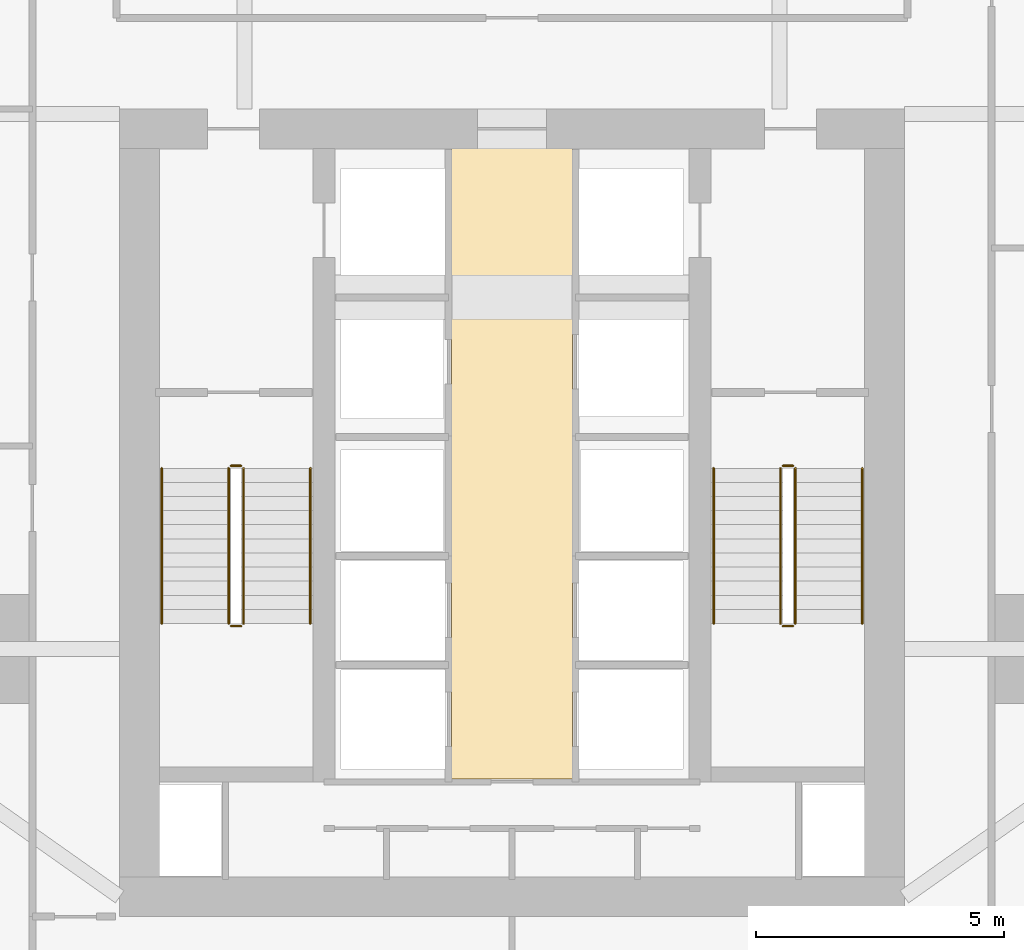
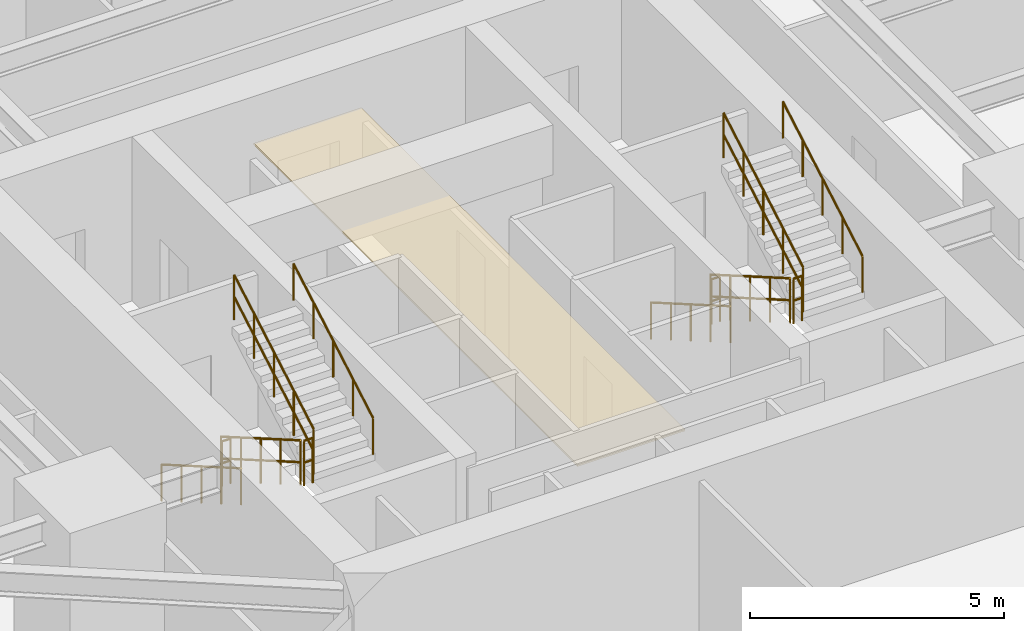
# One storey, part 27 of 28: 12 railings, 1 covering.
"""IFC4 building model written with IfcOpenShell, lengths in metres."""

from ifc_helpers import new_model, si_unit, direction, frame, origin, origin_2d, place, context, subcontext, project, spatial, polyline, circle, outline, extrude, material, layer, layer_set, type_object, element, save


model = new_model("IFC4")

# Units and contexts
model_context = context("Model", 3, precision=1e-05, world=origin(), true_north=direction((0.0, 1.0)))
body_context = subcontext(model_context, "Body", "Model", "MODEL_VIEW")
ifc_project = project(units=[si_unit("LENGTHUNIT", "METRE"), si_unit("AREAUNIT", "SQUARE_METRE"), si_unit("VOLUMEUNIT", "CUBIC_METRE"), si_unit("PLANEANGLEUNIT", "RADIAN"), si_unit("MASSUNIT", "GRAM", prefix="KILO")], contexts=[model_context])

# Site, building, storey
site_placement = place(None, origin())
site = spatial("IfcSite", under=ifc_project, at=site_placement, CompositionType="ELEMENT")
building_placement = place(site_placement, origin())
building = spatial("IfcBuilding", under=site, at=building_placement, Name="Krantzveldt Concourse Tower", CompositionType="ELEMENT")
storey_placement = place(building_placement, frame((0.0, 0.0, 28.949951171875)))
storey = spatial("IfcBuildingStorey", under=building, at=storey_placement, Name="L06", CompositionType="ELEMENT", Elevation=28.949951171875)

# Covering
ifc_material_1 = material(Name="Perforated acoustic mineral-fibre ceiling tile", Category="ceiling")
ifc_layer_1 = layer(ifc_material_1, 0.0400390625, Name="Perforated acoustic mineral-fibre ceiling tile", Category="ceiling")
ifc_layer_set_1 = layer_set([ifc_layer_1], Name="Perforated acoustic mineral-fibre ceiling tile (COV-CEIL-ACOUSTIC)")
covering_type = type_object("IfcCoveringType", Name="COV-CEIL-ACOUSTIC", PredefinedType="CEILING", material=ifc_layer_set_1)
covering_placement = place(storey_placement, frame((0.0, 0.0, 2.75)))
element("IfcCovering", 1, at=covering_placement, inside=storey, type_object=covering_type, Name="CLG-L06-LLB", PredefinedType="CEILING", context=body_context, shape_type="SweptSolid", body=[
    extrude(outline(polyline([(37.22509765625, 13.27490234375), (34.77490234375, 13.27490234375), (34.77490234375, 26.044921875), (37.22509765625, 26.044921875), (37.22509765625, 13.27490234375)])), origin(), (0.0, 0.0, 1.0), 0.0400390625),
])

# Railings
ifc_material_2 = material(Name="Stainless steel 316L", Category="steel")
ifc_layer_2 = layer(ifc_material_2, 0.06005859375, Name="Stainless steel 316L", Category="steel")
ifc_layer_set_2 = layer_set([ifc_layer_2], Name="Stainless steel 316L (RL-GUARD-1120)")
railing_type_1 = type_object("IfcRailingType", Name="RL-GUARD-1120", PredefinedType="GUARDRAIL", material=ifc_layer_set_2)
railing_1_placement = place(storey_placement, frame((30.280029296875, 19.550048828125, 0.16455078125)))
element("IfcRailing", 2, at=railing_1_placement, inside=storey, type_object=railing_type_1, Name="L06 ST-1 stair guard 1", PredefinedType="GUARDRAIL", context=body_context, shape_type="SweptSolid", body=[
    extrude(circle(Radius=0.02392578125, at=origin_2d()), frame((0.0, 0.0, 1.076171875), z_axis=(0.0, -0.865959834175, 0.500113552702), x_axis=(1.0, 0.0, 0.0)), (0.0, 0.0, 1.0), 3.620361328125),
    extrude(circle(Radius=0.02392578125, at=origin_2d()), frame((0.0, 0.0, 0.550048828125), z_axis=(0.0, -0.865959834175, 0.500113552702), x_axis=(1.0, 0.0, 0.0)), (0.0, 0.0, 1.0), 3.620361328125),
    extrude(circle(Radius=0.02099609375, at=origin_2d()), origin(), (0.0, 0.0, 1.0), 1.052001953125),
    extrude(circle(Radius=0.02099609375, at=origin_2d()), frame((0.0, -0.78369140625, 0.45263671875)), (0.0, 0.0, 1.0), 1.052001953125),
    extrude(circle(Radius=0.02099609375, at=origin_2d()), frame((0.0, -1.5673828125, 0.9052734375)), (0.0, 0.0, 1.0), 1.052001953125),
    extrude(circle(Radius=0.02099609375, at=origin_2d()), frame((0.0, -2.351318359375, 1.35791015625)), (0.0, 0.0, 1.0), 1.052001953125),
    extrude(circle(Radius=0.02099609375, at=origin_2d()), frame((0.0, -3.135009765625, 1.810546875)), (0.0, 0.0, 1.0), 1.052001953125),
])
railing_2_placement = place(storey_placement, frame((30.330078125, 16.364990234375, 1.97509765625)))
element("IfcRailing", 3, at=railing_2_placement, inside=storey, type_object=railing_type_1, Name="L06 ST-1 stair guard 2", PredefinedType="GUARDRAIL", context=body_context, shape_type="SweptSolid", body=[
    extrude(circle(Radius=0.02392578125, at=origin_2d()), frame((0.0, 0.0, 1.076171875), z_axis=(1.0, 0.0, 0.0), x_axis=(0.0, 1.0, 0.0)), (0.0, 0.0, 1.0), 0.199951171875),
    extrude(circle(Radius=0.02392578125, at=origin_2d()), frame((0.0, 0.0, 0.550048828125), z_axis=(1.0, 0.0, 0.0), x_axis=(0.0, 1.0, 0.0)), (0.0, 0.0, 1.0), 0.199951171875),
    extrude(circle(Radius=0.02099609375, at=origin_2d()), origin(), (0.0, 0.0, 1.0), 1.052001953125),
    extrude(circle(Radius=0.02099609375, at=origin_2d()), frame((0.199951171875, 0.0, 0.0)), (0.0, 0.0, 1.0), 1.052001953125),
])
railing_3_placement = place(storey_placement, frame((30.580078125, 16.4150390625, 2.1396484375)))
element("IfcRailing", 4, at=railing_3_placement, inside=storey, type_object=railing_type_1, Name="L06 ST-1 stair guard 3", PredefinedType="GUARDRAIL", context=body_context, shape_type="SweptSolid", body=[
    extrude(circle(Radius=0.02392578125, at=origin_2d()), frame((0.0, 0.0, 1.076171875), z_axis=(0.0, 0.865989039225, 0.500062979975), x_axis=(-1.0, 0.0, 0.0)), (0.0, 0.0, 1.0), 3.6201171875),
    extrude(circle(Radius=0.02392578125, at=origin_2d()), frame((0.0, 0.0, 0.550048828125), z_axis=(0.0, 0.865989039225, 0.500062979975), x_axis=(-1.0, 0.0, 0.0)), (0.0, 0.0, 1.0), 3.6201171875),
    extrude(circle(Radius=0.02099609375, at=origin_2d()), origin(), (0.0, 0.0, 1.0), 1.052001953125),
    extrude(circle(Radius=0.02099609375, at=origin_2d()), frame((0.0, 0.78369140625, 0.45263671875)), (0.0, 0.0, 1.0), 1.052001953125),
    extrude(circle(Radius=0.02099609375, at=origin_2d()), frame((0.0, 1.5673828125, 0.9052734375)), (0.0, 0.0, 1.0), 1.052001953125),
    extrude(circle(Radius=0.02099609375, at=origin_2d()), frame((0.0, 2.351318359375, 1.357666015625)), (0.0, 0.0, 1.0), 1.052001953125),
    extrude(circle(Radius=0.02099609375, at=origin_2d()), frame((0.0, 3.135009765625, 1.810302734375)), (0.0, 0.0, 1.0), 1.052001953125),
])
railing_4_placement = place(storey_placement, frame((30.330078125, 19.60009765625, 0.0)))
element("IfcRailing", 5, at=railing_4_placement, inside=storey, type_object=railing_type_1, Name="L06 ST-1 stair guard 4", PredefinedType="GUARDRAIL", context=body_context, shape_type="SweptSolid", body=[
    extrude(circle(Radius=0.02392578125, at=origin_2d()), frame((0.0, 0.0, 1.076171875), z_axis=(1.0, 0.0, 0.0), x_axis=(0.0, 1.0, 0.0)), (0.0, 0.0, 1.0), 0.199951171875),
    extrude(circle(Radius=0.02392578125, at=origin_2d()), frame((0.0, 0.0, 0.550048828125), z_axis=(1.0, 0.0, 0.0), x_axis=(0.0, 1.0, 0.0)), (0.0, 0.0, 1.0), 0.199951171875),
    extrude(circle(Radius=0.02099609375, at=origin_2d()), origin(), (0.0, 0.0, 1.0), 1.052001953125),
    extrude(circle(Radius=0.02099609375, at=origin_2d()), frame((0.199951171875, 0.0, 0.0)), (0.0, 0.0, 1.0), 1.052001953125),
])
railing_5_placement = place(storey_placement, frame((41.419921875, 19.550048828125, 0.16455078125)))
element("IfcRailing", 6, at=railing_5_placement, inside=storey, type_object=railing_type_1, Name="L06 ST-2 stair guard 1", PredefinedType="GUARDRAIL", context=body_context, shape_type="SweptSolid", body=[
    extrude(circle(Radius=0.02392578125, at=origin_2d()), frame((0.0, 0.0, 1.076171875), z_axis=(0.0, -0.865959834175, 0.500113552702), x_axis=(1.0, 0.0, 0.0)), (0.0, 0.0, 1.0), 3.620361328125),
    extrude(circle(Radius=0.02392578125, at=origin_2d()), frame((0.0, 0.0, 0.550048828125), z_axis=(0.0, -0.865959834175, 0.500113552702), x_axis=(1.0, 0.0, 0.0)), (0.0, 0.0, 1.0), 3.620361328125),
    extrude(circle(Radius=0.02099609375, at=origin_2d()), origin(), (0.0, 0.0, 1.0), 1.052001953125),
    extrude(circle(Radius=0.02099609375, at=origin_2d()), frame((0.0, -0.78369140625, 0.45263671875)), (0.0, 0.0, 1.0), 1.052001953125),
    extrude(circle(Radius=0.02099609375, at=origin_2d()), frame((0.0, -1.5673828125, 0.9052734375)), (0.0, 0.0, 1.0), 1.052001953125),
    extrude(circle(Radius=0.02099609375, at=origin_2d()), frame((0.0, -2.351318359375, 1.35791015625)), (0.0, 0.0, 1.0), 1.052001953125),
    extrude(circle(Radius=0.02099609375, at=origin_2d()), frame((0.0, -3.135009765625, 1.810546875)), (0.0, 0.0, 1.0), 1.052001953125),
])
railing_6_placement = place(storey_placement, frame((41.469970703125, 16.364990234375, 1.97509765625)))
element("IfcRailing", 7, at=railing_6_placement, inside=storey, type_object=railing_type_1, Name="L06 ST-2 stair guard 2", PredefinedType="GUARDRAIL", context=body_context, shape_type="SweptSolid", body=[
    extrude(circle(Radius=0.02392578125, at=origin_2d()), frame((0.0, 0.0, 1.076171875), z_axis=(1.0, 0.0, 0.0), x_axis=(0.0, 1.0, 0.0)), (0.0, 0.0, 1.0), 0.199951171875),
    extrude(circle(Radius=0.02392578125, at=origin_2d()), frame((0.0, 0.0, 0.550048828125), z_axis=(1.0, 0.0, 0.0), x_axis=(0.0, 1.0, 0.0)), (0.0, 0.0, 1.0), 0.199951171875),
    extrude(circle(Radius=0.02099609375, at=origin_2d()), origin(), (0.0, 0.0, 1.0), 1.052001953125),
    extrude(circle(Radius=0.02099609375, at=origin_2d()), frame((0.199951171875, 0.0, 0.0)), (0.0, 0.0, 1.0), 1.052001953125),
])
railing_7_placement = place(storey_placement, frame((41.719970703125, 16.4150390625, 2.1396484375)))
element("IfcRailing", 8, at=railing_7_placement, inside=storey, type_object=railing_type_1, Name="L06 ST-2 stair guard 3", PredefinedType="GUARDRAIL", context=body_context, shape_type="SweptSolid", body=[
    extrude(circle(Radius=0.02392578125, at=origin_2d()), frame((0.0, 0.0, 1.076171875), z_axis=(0.0, 0.865989039225, 0.500062979975), x_axis=(-1.0, 0.0, 0.0)), (0.0, 0.0, 1.0), 3.6201171875),
    extrude(circle(Radius=0.02392578125, at=origin_2d()), frame((0.0, 0.0, 0.550048828125), z_axis=(0.0, 0.865989039225, 0.500062979975), x_axis=(-1.0, 0.0, 0.0)), (0.0, 0.0, 1.0), 3.6201171875),
    extrude(circle(Radius=0.02099609375, at=origin_2d()), origin(), (0.0, 0.0, 1.0), 1.052001953125),
    extrude(circle(Radius=0.02099609375, at=origin_2d()), frame((0.0, 0.78369140625, 0.45263671875)), (0.0, 0.0, 1.0), 1.052001953125),
    extrude(circle(Radius=0.02099609375, at=origin_2d()), frame((0.0, 1.5673828125, 0.9052734375)), (0.0, 0.0, 1.0), 1.052001953125),
    extrude(circle(Radius=0.02099609375, at=origin_2d()), frame((0.0, 2.351318359375, 1.357666015625)), (0.0, 0.0, 1.0), 1.052001953125),
    extrude(circle(Radius=0.02099609375, at=origin_2d()), frame((0.0, 3.135009765625, 1.810302734375)), (0.0, 0.0, 1.0), 1.052001953125),
])
railing_8_placement = place(storey_placement, frame((41.469970703125, 19.60009765625, 0.0)))
element("IfcRailing", 9, at=railing_8_placement, inside=storey, type_object=railing_type_1, Name="L06 ST-2 stair guard 4", PredefinedType="GUARDRAIL", context=body_context, shape_type="SweptSolid", body=[
    extrude(circle(Radius=0.02392578125, at=origin_2d()), frame((0.0, 0.0, 1.076171875), z_axis=(1.0, 0.0, 0.0), x_axis=(0.0, 1.0, 0.0)), (0.0, 0.0, 1.0), 0.199951171875),
    extrude(circle(Radius=0.02392578125, at=origin_2d()), frame((0.0, 0.0, 0.550048828125), z_axis=(1.0, 0.0, 0.0), x_axis=(0.0, 1.0, 0.0)), (0.0, 0.0, 1.0), 0.199951171875),
    extrude(circle(Radius=0.02099609375, at=origin_2d()), origin(), (0.0, 0.0, 1.0), 1.052001953125),
    extrude(circle(Radius=0.02099609375, at=origin_2d()), frame((0.199951171875, 0.0, 0.0)), (0.0, 0.0, 1.0), 1.052001953125),
])
ifc_layer_3 = layer(ifc_material_2, 0.050048828125, Name="Stainless steel 316L", Category="steel")
ifc_layer_set_3 = layer_set([ifc_layer_3], Name="Stainless steel 316L (RL-HANDRAIL-920)")
railing_type_2 = type_object("IfcRailingType", Name="RL-HANDRAIL-920", PredefinedType="HANDRAIL", material=ifc_layer_set_3)
railing_9_placement = place(storey_placement, frame((28.929931640625, 19.550048828125, 0.16455078125)))
element("IfcRailing", 10, at=railing_9_placement, inside=storey, type_object=railing_type_2, Name="L06 ST-1 stair handrail 1", PredefinedType="HANDRAIL", context=body_context, shape_type="SweptSolid", body=[
    extrude(circle(Radius=0.02392578125, at=origin_2d()), frame((0.0, 0.0, 0.8759765625), z_axis=(0.0, -0.865959834175, 0.500113552702), x_axis=(1.0, 0.0, 0.0)), (0.0, 0.0, 1.0), 3.620361328125),
    extrude(circle(Radius=0.02099609375, at=origin_2d()), origin(), (0.0, 0.0, 1.0), 0.851806640625),
    extrude(circle(Radius=0.02099609375, at=origin_2d()), frame((0.0, -0.78369140625, 0.45263671875)), (0.0, 0.0, 1.0), 0.851806640625),
    extrude(circle(Radius=0.02099609375, at=origin_2d()), frame((0.0, -1.5673828125, 0.9052734375)), (0.0, 0.0, 1.0), 0.851806640625),
    extrude(circle(Radius=0.02099609375, at=origin_2d()), frame((0.0, -2.351318359375, 1.35791015625)), (0.0, 0.0, 1.0), 0.851806640625),
    extrude(circle(Radius=0.02099609375, at=origin_2d()), frame((0.0, -3.135009765625, 1.810546875)), (0.0, 0.0, 1.0), 0.851806640625),
])
railing_10_placement = place(storey_placement, frame((31.929931640625, 16.4150390625, 2.1396484375)))
element("IfcRailing", 11, at=railing_10_placement, inside=storey, type_object=railing_type_2, Name="L06 ST-1 stair handrail 2", PredefinedType="HANDRAIL", context=body_context, shape_type="SweptSolid", body=[
    extrude(circle(Radius=0.02392578125, at=origin_2d()), frame((0.0, 0.0, 0.8759765625), z_axis=(0.0, 0.865989039225, 0.500062979975), x_axis=(-1.0, 0.0, 0.0)), (0.0, 0.0, 1.0), 3.6201171875),
    extrude(circle(Radius=0.02099609375, at=origin_2d()), origin(), (0.0, 0.0, 1.0), 0.851806640625),
    extrude(circle(Radius=0.02099609375, at=origin_2d()), frame((0.0, 0.78369140625, 0.45263671875)), (0.0, 0.0, 1.0), 0.851806640625),
    extrude(circle(Radius=0.02099609375, at=origin_2d()), frame((0.0, 1.5673828125, 0.9052734375)), (0.0, 0.0, 1.0), 0.851806640625),
    extrude(circle(Radius=0.02099609375, at=origin_2d()), frame((0.0, 2.351318359375, 1.357666015625)), (0.0, 0.0, 1.0), 0.851806640625),
    extrude(circle(Radius=0.02099609375, at=origin_2d()), frame((0.0, 3.135009765625, 1.810302734375)), (0.0, 0.0, 1.0), 0.851806640625),
])
railing_11_placement = place(storey_placement, frame((40.070068359375, 19.550048828125, 0.16455078125)))
element("IfcRailing", 12, at=railing_11_placement, inside=storey, type_object=railing_type_2, Name="L06 ST-2 stair handrail 1", PredefinedType="HANDRAIL", context=body_context, shape_type="SweptSolid", body=[
    extrude(circle(Radius=0.02392578125, at=origin_2d()), frame((0.0, 0.0, 0.8759765625), z_axis=(0.0, -0.865959834175, 0.500113552702), x_axis=(1.0, 0.0, 0.0)), (0.0, 0.0, 1.0), 3.620361328125),
    extrude(circle(Radius=0.02099609375, at=origin_2d()), origin(), (0.0, 0.0, 1.0), 0.851806640625),
    extrude(circle(Radius=0.02099609375, at=origin_2d()), frame((0.0, -0.78369140625, 0.45263671875)), (0.0, 0.0, 1.0), 0.851806640625),
    extrude(circle(Radius=0.02099609375, at=origin_2d()), frame((0.0, -1.5673828125, 0.9052734375)), (0.0, 0.0, 1.0), 0.851806640625),
    extrude(circle(Radius=0.02099609375, at=origin_2d()), frame((0.0, -2.351318359375, 1.35791015625)), (0.0, 0.0, 1.0), 0.851806640625),
    extrude(circle(Radius=0.02099609375, at=origin_2d()), frame((0.0, -3.135009765625, 1.810546875)), (0.0, 0.0, 1.0), 0.851806640625),
])
railing_12_placement = place(storey_placement, frame((43.070068359375, 16.4150390625, 2.1396484375)))
element("IfcRailing", 13, at=railing_12_placement, inside=storey, type_object=railing_type_2, Name="L06 ST-2 stair handrail 2", PredefinedType="HANDRAIL", context=body_context, shape_type="SweptSolid", body=[
    extrude(circle(Radius=0.02392578125, at=origin_2d()), frame((0.0, 0.0, 0.8759765625), z_axis=(0.0, 0.865989039225, 0.500062979975), x_axis=(-1.0, 0.0, 0.0)), (0.0, 0.0, 1.0), 3.6201171875),
    extrude(circle(Radius=0.02099609375, at=origin_2d()), origin(), (0.0, 0.0, 1.0), 0.851806640625),
    extrude(circle(Radius=0.02099609375, at=origin_2d()), frame((0.0, 0.78369140625, 0.45263671875)), (0.0, 0.0, 1.0), 0.851806640625),
    extrude(circle(Radius=0.02099609375, at=origin_2d()), frame((0.0, 1.5673828125, 0.9052734375)), (0.0, 0.0, 1.0), 0.851806640625),
    extrude(circle(Radius=0.02099609375, at=origin_2d()), frame((0.0, 2.351318359375, 1.357666015625)), (0.0, 0.0, 1.0), 0.851806640625),
    extrude(circle(Radius=0.02099609375, at=origin_2d()), frame((0.0, 3.135009765625, 1.810302734375)), (0.0, 0.0, 1.0), 0.851806640625),
])

save(model, "model.ifc")
